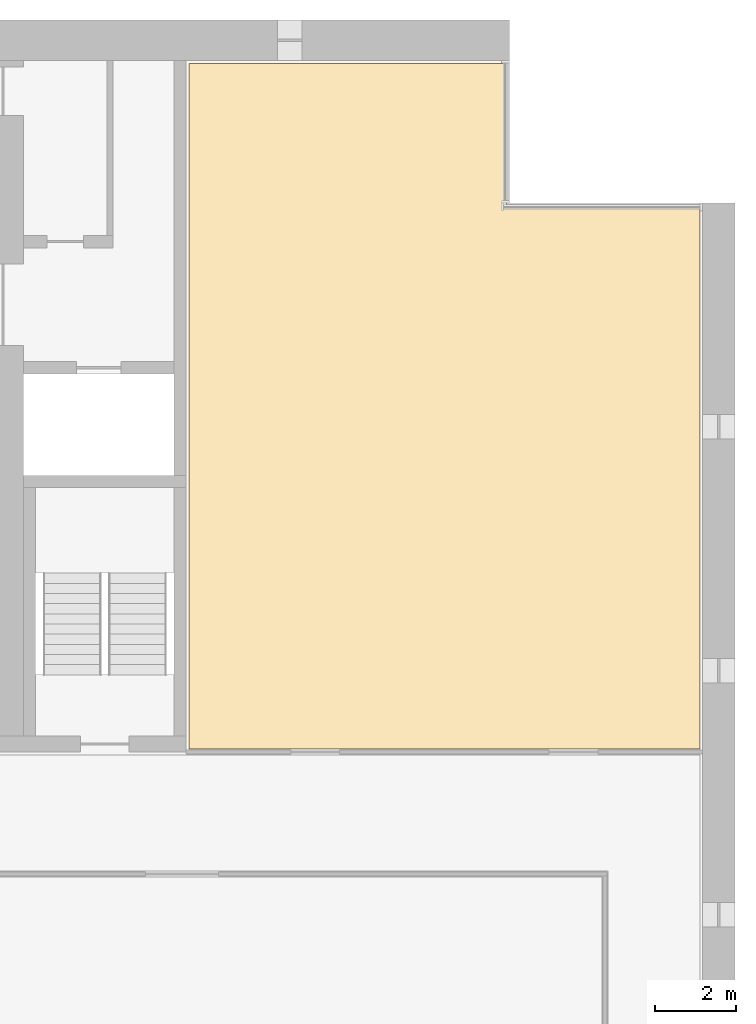
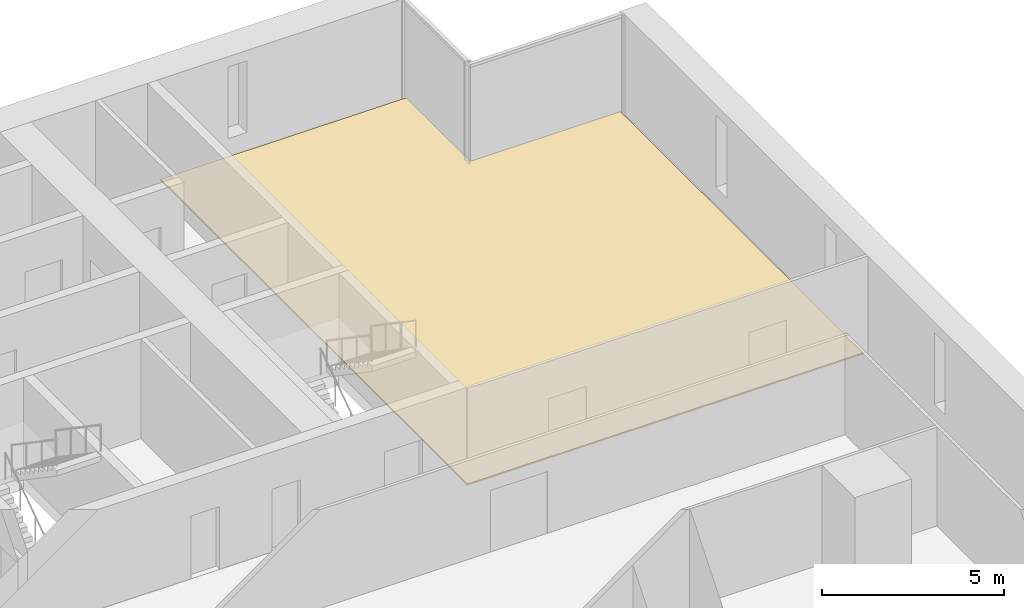
# One storey, part 18 of 18: 1 covering.
"""IFC4 building model written with IfcOpenShell, lengths in metres."""

from ifc_helpers import new_model, si_unit, direction, frame, origin, place, context, subcontext, project, spatial, polyline, outline, extrude, material, layer, layer_set, type_object, element, save


model = new_model("IFC4")

# Units and contexts
model_context = context("Model", 3, precision=1e-05, world=origin(), true_north=direction((0.0, 1.0)))
body_context = subcontext(model_context, "Body", "Model", "MODEL_VIEW")
ifc_project = project(units=[si_unit("LENGTHUNIT", "METRE"), si_unit("AREAUNIT", "SQUARE_METRE"), si_unit("VOLUMEUNIT", "CUBIC_METRE"), si_unit("PLANEANGLEUNIT", "RADIAN"), si_unit("MASSUNIT", "GRAM", prefix="KILO")], contexts=[model_context])

# Site, building, storey
site_placement = place(None, origin())
site = spatial("IfcSite", under=ifc_project, at=site_placement, CompositionType="ELEMENT")
building_placement = place(site_placement, origin())
building = spatial("IfcBuilding", under=site, at=building_placement, Name="Calvaro Tower", CompositionType="ELEMENT")
storey_placement = place(building_placement, frame((0.0, 0.0, 30.0)))
storey = spatial("IfcBuildingStorey", under=building, at=storey_placement, Name="L06", CompositionType="ELEMENT", Elevation=30.0)

# Covering
ifc_material = material(Name="Cement screed with carpet tile finish")
ifc_layer = layer(ifc_material, 0.050048828125)
ifc_layer_set = layer_set([ifc_layer], Name="Cement screed with carpet tile finish")
covering_type = type_object("IfcCoveringType", Name="Floor finish 50", PredefinedType="FLOORING", material=ifc_layer_set)
covering_placement = place(storey_placement, origin())
element("IfcCovering", 1, at=covering_placement, inside=storey, type_object=covering_type, Name="Floor finish 08.16", PredefinedType="FLOORING", context=body_context, shape_type="SweptSolid", body=[
    extrude(outline(polyline([(77.1298828125, 28.070068359375), (64.570068359375, 28.070068359375), (64.570068359375, 44.929931640625), (72.3798828125, 44.929931640625), (72.3798828125, 41.429931640625), (77.1298828125, 41.429931640625), (77.1298828125, 28.070068359375)])), origin(), (0.0, 0.0, 1.0), 0.050048828125),
])

save(model, "model.ifc")
